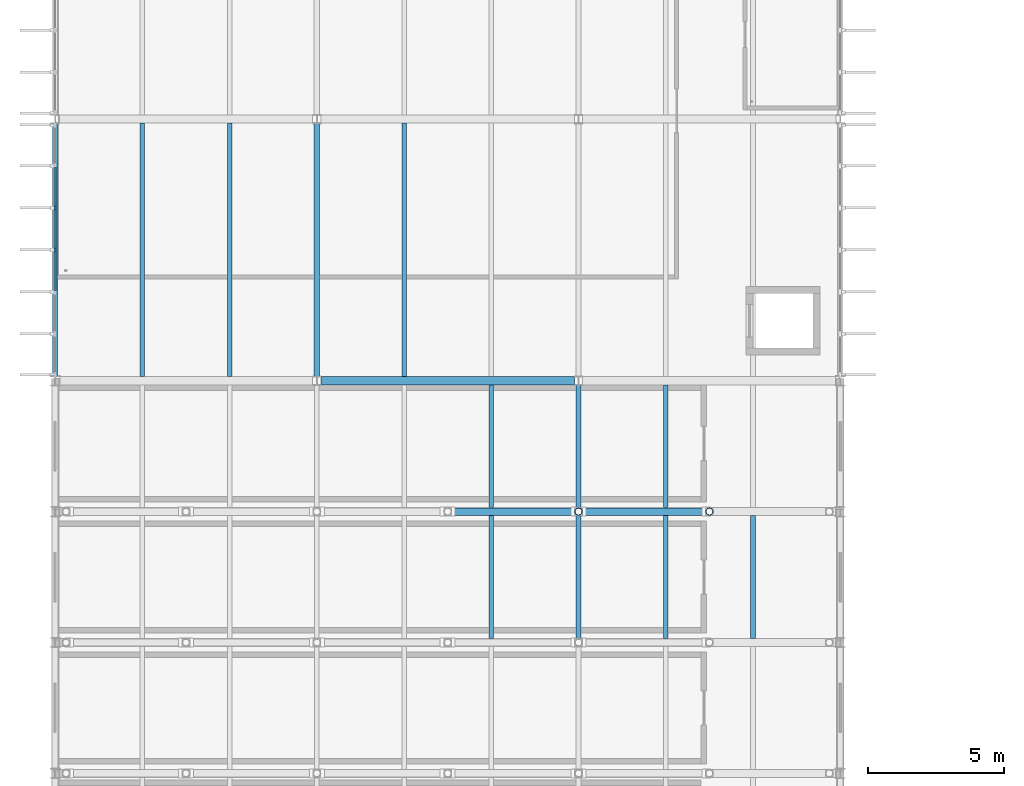
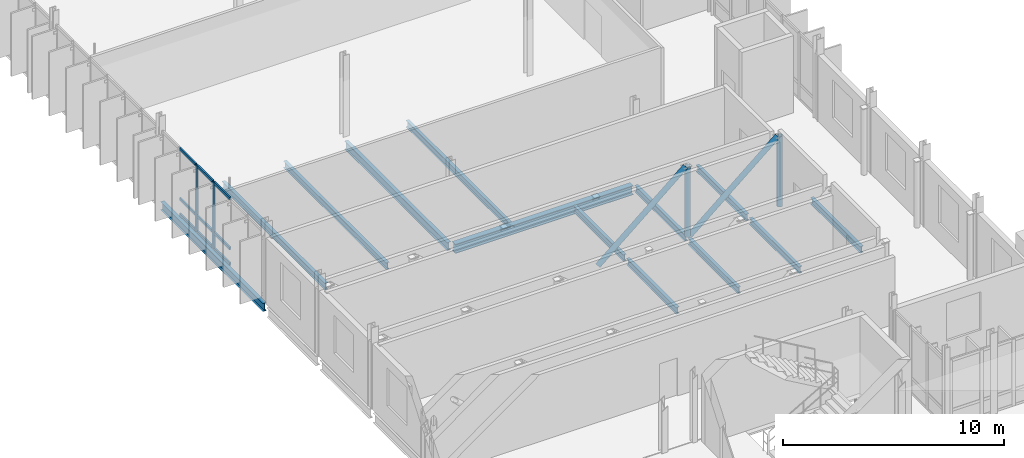
# One storey, part 28 of 110: 15 members, 13 beams, 1 element without a shape of its own.
"""IFC4 building model written with IfcOpenShell, lengths in metres."""

from ifc_helpers import new_model, si_unit, direction, frame, origin, origin_2d, place, context, subcontext, project, spatial, rectangle, hollow_circle, i_section, extrude, material, material_profile, profile_set, type_object, element, aggregate, save


model = new_model("IFC4")

# Units and contexts
model_context = context("Model", 3, precision=1e-05, world=origin(), true_north=direction((0.0, 1.0)))
body_context = subcontext(model_context, "Body", "Model", "MODEL_VIEW")
ifc_project = project(units=[si_unit("LENGTHUNIT", "METRE"), si_unit("AREAUNIT", "SQUARE_METRE"), si_unit("VOLUMEUNIT", "CUBIC_METRE"), si_unit("PLANEANGLEUNIT", "RADIAN"), si_unit("MASSUNIT", "GRAM", prefix="KILO")], contexts=[model_context])

# Site, building, storey
site_placement = place(None, origin())
site = spatial("IfcSite", under=ifc_project, at=site_placement, CompositionType="ELEMENT")
building_placement = place(site_placement, origin())
building = spatial("IfcBuilding", under=site, at=building_placement, Name="Dunescarp Central Library", CompositionType="ELEMENT")
storey_placement = place(building_placement, frame((0.0, 0.0, 9.60009765625)))
storey = spatial("IfcBuildingStorey", under=building, at=storey_placement, Name="L02", CompositionType="ELEMENT", Elevation=9.60009765625)

# Curtain wall, members
ifc_material_1 = material(Name="Marine-grade anodised aluminium 6063-T6", Category="aluminium")
curtain_wall_type = type_object("IfcCurtainWallType", Name="ARC-CW-STICK", PredefinedType="NOTDEFINED", material=ifc_material_1)
curtain_wall_placement = place(storey_placement, origin())
curtain_wall = element("IfcCurtainWall", 1, at=curtain_wall_placement, inside=storey, type_object=curtain_wall_type, Name="L02 curtain wall CW-V4-124", PredefinedType="NOTDEFINED")
ifc_material_profile_1 = material_profile(ifc_material_1, rectangle(XDim=0.080078125, YDim=0.179931640625, at=origin_2d()), Name="AL 80x180")
ifc_profile_set_1 = profile_set([ifc_material_profile_1], Name="Marine-grade anodised aluminium 6063-T6")
member_type_1 = type_object("IfcMemberType", Name="ARC-CWM-180", PredefinedType="MULLION", material=ifc_profile_set_1)
member_1_placement = place(storey_placement, frame((0.0, 65.60009765625, 0.0), z_axis=(0.0, 0.0, 1.0), x_axis=(-1.0, 0.0, 0.0)))
member_1 = element("IfcMember", 2, at=member_1_placement, type_object=member_type_1, Name="CW-V4-124 mullion 4", PredefinedType="MULLION", context=body_context, shape_type="SweptSolid", body=[
    extrude(rectangle(XDim=0.080078125, YDim=0.179931640625, at=origin_2d()), origin(), (0.0, 0.0, 1.0), 3.701904296875),
])
member_2_placement = place(storey_placement, frame((0.0, 67.1416015625, 0.0), z_axis=(0.0, 0.0, 1.0), x_axis=(-1.0, 0.0, 0.0)))
member_2 = element("IfcMember", 3, at=member_2_placement, type_object=member_type_1, Name="CW-V4-124 mullion 5", PredefinedType="MULLION", context=body_context, shape_type="SweptSolid", body=[
    extrude(rectangle(XDim=0.080078125, YDim=0.179931640625, at=origin_2d()), origin(), (0.0, 0.0, 1.0), 3.701904296875),
])
ifc_material_profile_2 = material_profile(ifc_material_1, rectangle(XDim=0.080078125, YDim=0.14990234375, at=origin_2d()), Name="AL 80x150")
ifc_profile_set_2 = profile_set([ifc_material_profile_2], Name="Marine-grade anodised aluminium 6063-T6")
member_type_2 = type_object("IfcMemberType", Name="ARC-CWT-150", PredefinedType="USERDEFINED", material=ifc_profile_set_2)
member_3_placement = place(storey_placement, frame((0.0, 64.098388671875, 0.039794921875), z_axis=(0.0, 1.0, 0.0), x_axis=(-1.0, 0.0, 0.0)))
member_3 = element("IfcMember", 4, at=member_3_placement, type_object=member_type_2, Name="CW-V4-124 transom 3.1", ObjectType="TRANSOM", PredefinedType="USERDEFINED", context=body_context, shape_type="SweptSolid", body=[
    extrude(rectangle(XDim=0.080078125, YDim=0.14990234375, at=origin_2d()), origin(), (0.0, 0.0, 1.0), 1.461669921875),
])
member_4_placement = place(storey_placement, frame((0.0, 64.098388671875, 0.89990234375), z_axis=(0.0, 1.0, 0.0), x_axis=(-1.0, 0.0, 0.0)))
member_4 = element("IfcMember", 5, at=member_4_placement, type_object=member_type_2, Name="CW-V4-124 transom 3.2", ObjectType="TRANSOM", PredefinedType="USERDEFINED", context=body_context, shape_type="SweptSolid", body=[
    extrude(rectangle(XDim=0.080078125, YDim=0.14990234375, at=origin_2d()), origin(), (0.0, 0.0, 1.0), 1.461669921875),
])
member_5_placement = place(storey_placement, frame((0.0, 64.098388671875, 3.661865234375), z_axis=(0.0, 1.0, 0.0), x_axis=(-1.0, 0.0, 0.0)))
member_5 = element("IfcMember", 6, at=member_5_placement, type_object=member_type_2, Name="CW-V4-124 transom 3.3", ObjectType="TRANSOM", PredefinedType="USERDEFINED", context=body_context, shape_type="SweptSolid", body=[
    extrude(rectangle(XDim=0.080078125, YDim=0.14990234375, at=origin_2d()), origin(), (0.0, 0.0, 1.0), 1.461669921875),
])
member_6_placement = place(storey_placement, frame((0.0, 65.639892578125, 0.039794921875), z_axis=(0.0, 1.0, 0.0), x_axis=(-1.0, 0.0, 0.0)))
member_6 = element("IfcMember", 7, at=member_6_placement, type_object=member_type_2, Name="CW-V4-124 transom 4.1", ObjectType="TRANSOM", PredefinedType="USERDEFINED", context=body_context, shape_type="SweptSolid", body=[
    extrude(rectangle(XDim=0.080078125, YDim=0.14990234375, at=origin_2d()), origin(), (0.0, 0.0, 1.0), 1.461669921875),
])
member_7_placement = place(storey_placement, frame((0.0, 65.639892578125, 0.89990234375), z_axis=(0.0, 1.0, 0.0), x_axis=(-1.0, 0.0, 0.0)))
member_7 = element("IfcMember", 8, at=member_7_placement, type_object=member_type_2, Name="CW-V4-124 transom 4.2", ObjectType="TRANSOM", PredefinedType="USERDEFINED", context=body_context, shape_type="SweptSolid", body=[
    extrude(rectangle(XDim=0.080078125, YDim=0.14990234375, at=origin_2d()), origin(), (0.0, 0.0, 1.0), 1.461669921875),
])
member_8_placement = place(storey_placement, frame((0.0, 65.639892578125, 3.661865234375), z_axis=(0.0, 1.0, 0.0), x_axis=(-1.0, 0.0, 0.0)))
member_8 = element("IfcMember", 9, at=member_8_placement, type_object=member_type_2, Name="CW-V4-124 transom 4.3", ObjectType="TRANSOM", PredefinedType="USERDEFINED", context=body_context, shape_type="SweptSolid", body=[
    extrude(rectangle(XDim=0.080078125, YDim=0.14990234375, at=origin_2d()), origin(), (0.0, 0.0, 1.0), 1.461669921875),
])
member_9_placement = place(storey_placement, frame((0.0, 67.181640625, 0.039794921875), z_axis=(0.0, 1.0, 0.0), x_axis=(-1.0, 0.0, 0.0)))
member_9 = element("IfcMember", 10, at=member_9_placement, type_object=member_type_2, Name="CW-V4-124 transom 5.1", ObjectType="TRANSOM", PredefinedType="USERDEFINED", context=body_context, shape_type="SweptSolid", body=[
    extrude(rectangle(XDim=0.080078125, YDim=0.14990234375, at=origin_2d()), origin(), (0.0, 0.0, 1.0), 1.461669921875),
])
member_10_placement = place(storey_placement, frame((0.0, 67.181640625, 0.89990234375), z_axis=(0.0, 1.0, 0.0), x_axis=(-1.0, 0.0, 0.0)))
member_10 = element("IfcMember", 11, at=member_10_placement, type_object=member_type_2, Name="CW-V4-124 transom 5.2", ObjectType="TRANSOM", PredefinedType="USERDEFINED", context=body_context, shape_type="SweptSolid", body=[
    extrude(rectangle(XDim=0.080078125, YDim=0.14990234375, at=origin_2d()), origin(), (0.0, 0.0, 1.0), 1.461669921875),
])
member_11_placement = place(storey_placement, frame((0.0, 67.181640625, 3.661865234375), z_axis=(0.0, 1.0, 0.0), x_axis=(-1.0, 0.0, 0.0)))
member_11 = element("IfcMember", 12, at=member_11_placement, type_object=member_type_2, Name="CW-V4-124 transom 5.3", ObjectType="TRANSOM", PredefinedType="USERDEFINED", context=body_context, shape_type="SweptSolid", body=[
    extrude(rectangle(XDim=0.080078125, YDim=0.14990234375, at=origin_2d()), origin(), (0.0, 0.0, 1.0), 1.461669921875),
])
aggregate(curtain_wall, [member_1, member_2, member_3, member_4, member_5, member_6, member_7, member_8, member_9, member_10, member_11])

# Beams
ifc_material_2 = material(Name="Steel S355JR", Category="steel")
ifc_material_profile_3 = material_profile(ifc_material_2, i_section(OverallWidth=0.300048828125, OverallDepth=0.5, WebThickness=0.014404296875, FlangeThickness=0.028076171875, at=origin_2d()), Name="HEB 500")
ifc_profile_set_3 = profile_set([ifc_material_profile_3], Name="Steel S355JR")
beam_type_1 = type_object("IfcBeamType", Name="STR-BM-HEB500", PredefinedType="BEAM", material=ifc_profile_set_3)
beam_1_placement = place(storey_placement, frame((9.7529296875, 60.800048828125, -0.460205078125), z_axis=(1.0, 0.0, 0.0), x_axis=(0.0, 1.0, 0.0)))
element("IfcBeam", 13, at=beam_1_placement, inside=storey, type_object=beam_type_1, Name="L02 girder BM-L02-1003", PredefinedType="BEAM", context=body_context, shape_type="SweptSolid", body=[
    extrude(i_section(OverallWidth=0.300048828125, OverallDepth=0.5, WebThickness=0.014404296875, FlangeThickness=0.028076171875, at=origin_2d()), origin(), (0.0, 0.0, 1.0), 9.294189453125),
])
ifc_material_profile_4 = material_profile(ifc_material_2, i_section(OverallWidth=0.18994140625, OverallDepth=0.453369140625, WebThickness=0.008544921875, FlangeThickness=0.0126953125, at=origin_2d()), Name="UB 457x191x67")
ifc_profile_set_4 = profile_set([ifc_material_profile_4], Name="Steel S355JR")
beam_type_2 = type_object("IfcBeamType", Name="STR-BM-UB457", PredefinedType="BEAM", material=ifc_profile_set_4)
beam_2_placement = place(storey_placement, frame((0.0, 60.98095703125, -0.43701171875), z_axis=(0.0, 1.0, 0.0), x_axis=(-1.0, 0.0, 0.0)))
element("IfcBeam", 14, at=beam_2_placement, inside=storey, type_object=beam_type_2, Name="L02 girder BM-L02-0989", PredefinedType="BEAM", context=body_context, shape_type="SweptSolid", body=[
    extrude(i_section(OverallWidth=0.18994140625, OverallDepth=0.453369140625, WebThickness=0.008544921875, FlangeThickness=0.0126953125, at=origin_2d()), origin(), (0.0, 0.0, 1.0), 9.258056640625),
])
beam_3_placement = place(storey_placement, frame((9.60009765625, 60.9609375, -0.43701171875), z_axis=(0.0, 1.0, 0.0), x_axis=(-1.0, 0.0, 0.0)))
element("IfcBeam", 15, at=beam_3_placement, inside=storey, type_object=beam_type_2, Name="L02 girder BM-L02-0990", PredefinedType="BEAM", context=body_context, shape_type="SweptSolid", body=[
    extrude(i_section(OverallWidth=0.18994140625, OverallDepth=0.453369140625, WebThickness=0.008544921875, FlangeThickness=0.0126953125, at=origin_2d()), origin(), (0.0, 0.0, 1.0), 9.278076171875),
])
ifc_material_profile_5 = material_profile(ifc_material_2, i_section(OverallWidth=0.169921875, OverallDepth=0.360107421875, WebThickness=0.008056640625, FlangeThickness=0.0126953125, at=origin_2d()), Name="IPE 360")
ifc_profile_set_5 = profile_set([ifc_material_profile_5], Name="Steel S355JR")
beam_type_3 = type_object("IfcBeamType", Name="STR-JS-IPE360", PredefinedType="JOIST", material=ifc_profile_set_5)
for number, where, z_axis, x_axis, name in (
    (16, (3.199951171875, 60.947998046875, -0.39013671875), (0.0, 1.0, 0.0), (-1.0, 0.0, 0.0), "L02 joist JS-L02-0991"),
    (17, (6.39990234375, 60.947998046875, -0.39013671875), (0.0, 1.0, 0.0), (-1.0, 0.0, 0.0), "L02 joist JS-L02-0992"),
    (18, (12.800048828125, 60.947998046875, -0.39013671875), (0.0, 1.0, 0.0), (-1.0, 0.0, 0.0), "L02 joist JS-L02-1006"),
):
    element("IfcBeam", number, at=place(storey_placement, frame(where, z_axis=z_axis, x_axis=x_axis)), inside=storey, type_object=beam_type_3, Name=name, PredefinedType="JOIST", context=body_context, shape_type="SweptSolid", body=[
        extrude(i_section(OverallWidth=0.169921875, OverallDepth=0.360107421875, WebThickness=0.008056640625, FlangeThickness=0.0126953125, at=origin_2d()), origin(), (0.0, 0.0, 1.0), 9.303955078125),
    ])
for number, where, z_axis, x_axis, name in (
    (19, (16.0, 51.347900390625, -0.39013671875), (0.0, 1.0, 0.0), (-1.0, 0.0, 0.0), "L02 joist JS-L02-1377"),
    (20, (19.199951171875, 51.347900390625, -0.39013671875), (0.0, 1.0, 0.0), (-1.0, 0.0, 0.0), "L02 joist JS-L02-1378"),
    (21, (22.39990234375, 51.347900390625, -0.39013671875), (0.0, 1.0, 0.0), (-1.0, 0.0, 0.0), "L02 joist JS-L02-1379"),
    (22, (25.60009765625, 51.347900390625, -0.39013671875), (0.0, 1.0, 0.0), (-1.0, 0.0, 0.0), "L02 joist JS-L02-1380"),
    (23, (16.0, 56.14794921875, -0.39013671875), (0.0, 1.0, 0.0), (-1.0, 0.0, 0.0), "L02 joist JS-L02-1385"),
    (24, (19.199951171875, 56.14794921875, -0.39013671875), (0.0, 1.0, 0.0), (-1.0, 0.0, 0.0), "L02 joist JS-L02-1386"),
    (25, (22.39990234375, 56.14794921875, -0.39013671875), (0.0, 1.0, 0.0), (-1.0, 0.0, 0.0), "L02 joist JS-L02-1387"),
):
    element("IfcBeam", number, at=place(storey_placement, frame(where, z_axis=z_axis, x_axis=x_axis)), inside=storey, type_object=beam_type_3, Name=name, PredefinedType="JOIST", context=body_context, shape_type="SweptSolid", body=[
        extrude(i_section(OverallWidth=0.169921875, OverallDepth=0.360107421875, WebThickness=0.008056640625, FlangeThickness=0.0126953125, at=origin_2d()), origin(), (0.0, 0.0, 1.0), 4.504150390625),
    ])

# Members
ifc_material_3 = material(Name="Steel S355J0", Category="steel")
ifc_material_profile_6 = material_profile(ifc_material_3, hollow_circle(Radius=0.136474609375, WallThickness=0.012451171875, at=origin_2d()), Name="CHS 273x12.5")
ifc_profile_set_6 = profile_set([ifc_material_profile_6], Name="Steel S355J0")
member_type_3 = type_object("IfcMemberType", Name="STR-TT-DIAG", PredefinedType="CHORD", material=ifc_profile_set_6)
member_12_placement = place(storey_placement, frame((14.510009765625, 56.0, -0.212158203125), z_axis=(0.763503596688, 0.0, 0.64580357528), x_axis=(0.0, 1.0, 0.0)))
element("IfcMember", 26, at=member_12_placement, inside=storey, type_object=member_type_3, Name="Transfer truss TT-V4-3 diagonal 4", PredefinedType="CHORD", context=body_context, shape_type="SweptSolid", body=[
    extrude(hollow_circle(Radius=0.136474609375, WallThickness=0.012451171875, at=origin_2d()), origin(), (0.0, 0.0, 1.0), 5.998779296875),
])
member_13_placement = place(storey_placement, frame((19.31005859375, 56.0, -0.212158203125), z_axis=(0.763486622095, 0.0, 0.645823643019), x_axis=(0.0, 1.0, 0.0)))
element("IfcMember", 27, at=member_13_placement, inside=storey, type_object=member_type_3, Name="Transfer truss TT-V4-3 diagonal 5", PredefinedType="CHORD", context=body_context, shape_type="SweptSolid", body=[
    extrude(hollow_circle(Radius=0.136474609375, WallThickness=0.012451171875, at=origin_2d()), origin(), (0.0, 0.0, 1.0), 5.99853515625),
])
ifc_material_profile_7 = material_profile(ifc_material_3, hollow_circle(Radius=0.136474609375, WallThickness=0.010009765625, at=origin_2d()), Name="CHS 273x10")
ifc_profile_set_7 = profile_set([ifc_material_profile_7], Name="Steel S355J0")
member_type_4 = type_object("IfcMemberType", Name="STR-TT-VERT", PredefinedType="CHORD", material=ifc_profile_set_7)
for number, where, z_axis, x_axis, name in (
    (28, (19.199951171875, 56.0, -0.215087890625), (0.0, 0.0, 1.0), (1.0, 0.0, 0.0), "Transfer truss TT-V4-3 vertical 5"),
    (29, (24.0, 56.0, -0.215087890625), (0.0, 0.0, 1.0), (1.0, 0.0, 0.0), "Transfer truss TT-V4-3 vertical 6"),
):
    element("IfcMember", number, at=place(storey_placement, frame(where, z_axis=z_axis, x_axis=x_axis)), inside=storey, type_object=member_type_4, Name=name, PredefinedType="CHORD", context=body_context, shape_type="SweptSolid", body=[
        extrude(hollow_circle(Radius=0.136474609375, WallThickness=0.010009765625, at=origin_2d()), origin(), (0.0, 0.0, 1.0), 3.8798828125),
    ])

save(model, "model.ifc")
